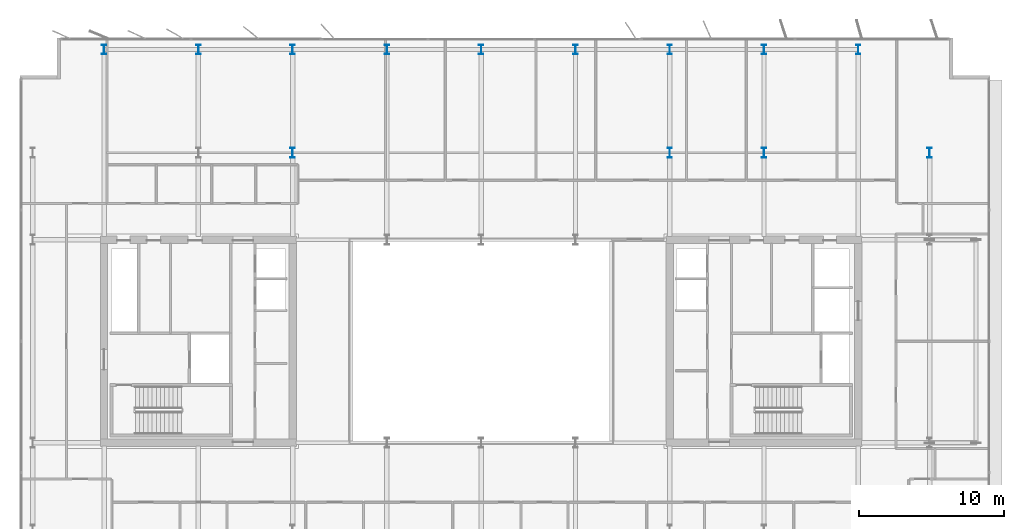
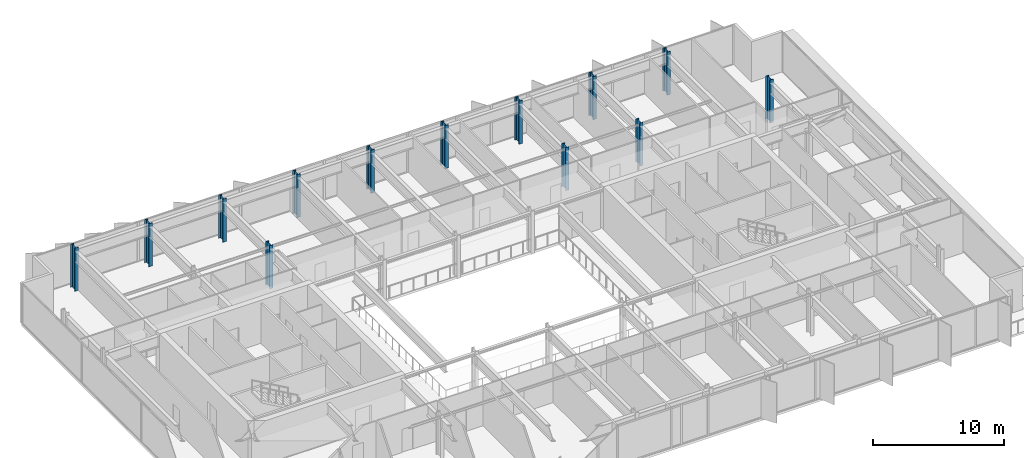
# One storey, part 3 of 20: 13 columns.
"""IFC4 building model written with IfcOpenShell, lengths in metres."""

from ifc_helpers import new_model, si_unit, direction, frame, origin, origin_2d, place, context, subcontext, project, spatial, i_section, extrude, material, material_profile, profile_set, type_object, element, save


model = new_model("IFC4")

# Units and contexts
model_context = context("Model", 3, precision=1e-05, world=origin(), true_north=direction((0.0, 1.0)))
body_context = subcontext(model_context, "Body", "Model", "MODEL_VIEW")
ifc_project = project(units=[si_unit("LENGTHUNIT", "METRE"), si_unit("AREAUNIT", "SQUARE_METRE"), si_unit("VOLUMEUNIT", "CUBIC_METRE"), si_unit("PLANEANGLEUNIT", "RADIAN"), si_unit("MASSUNIT", "GRAM", prefix="KILO")], contexts=[model_context])

# Site, building, storey
site_placement = place(None, origin())
site = spatial("IfcSite", under=ifc_project, at=site_placement, CompositionType="ELEMENT")
building_placement = place(site_placement, origin())
building = spatial("IfcBuilding", under=site, at=building_placement, Name="Putna Gate Headquarters", CompositionType="ELEMENT")
storey_placement = place(building_placement, frame((0.0, 0.0, 306.39990234375)))
storey = spatial("IfcBuildingStorey", under=building, at=storey_placement, Name="L77", CompositionType="ELEMENT", Elevation=306.39990234375)

# Columns
ifc_material = material(Name="Steel S460M", Category="steel")
ifc_material_profile_1 = material_profile(ifc_material, i_section(OverallWidth=0.304931640625, OverallDepth=0.66796875, WebThickness=0.02099609375, FlangeThickness=0.0400390625, at=origin_2d()), Name="Steel S460M")
ifc_profile_set_1 = profile_set([ifc_material_profile_1], Name="Steel S460M")
column_type_1 = type_object("IfcColumnType", Name="COL-STL-HEM650-EXT", PredefinedType="COLUMN", material=ifc_profile_set_1)
for number, where, z_axis, x_axis, name in (
    (1, (13.0, 46.1201171875, 0.0), (0.0, 0.0, 1.0), (1.0, 0.0, 0.0), "L77 Column CP-N13"),
    (2, (19.5, 46.1201171875, 0.0), (0.0, 0.0, 1.0), (1.0, 0.0, 0.0), "L77 Column CP-N19"),
    (3, (26.0, 46.1201171875, 0.0), (0.0, 0.0, 1.0), (1.0, 0.0, 0.0), "L77 Column CP-N26"),
    (4, (32.5, 46.1201171875, 0.0), (0.0, 0.0, 1.0), (1.0, 0.0, 0.0), "L77 Column CP-N32"),
    (5, (39.0, 46.1201171875, 0.0), (0.0, 0.0, 1.0), (1.0, 0.0, 0.0), "L77 Column CP-N39"),
    (6, (45.5, 46.1201171875, 0.0), (0.0, 0.0, 1.0), (1.0, 0.0, 0.0), "L77 Column CP-N45"),
    (7, (52.0, 46.1201171875, 0.0), (0.0, 0.0, 1.0), (1.0, 0.0, 0.0), "L77 Column CP-N52"),
    (8, (58.5, 46.1201171875, 0.0), (0.0, 0.0, 1.0), (1.0, 0.0, 0.0), "L77 Column CP-N58"),
    (9, (65.0, 46.1201171875, 0.0), (0.0, 0.0, 1.0), (1.0, 0.0, 0.0), "L77 Column CP-N65"),
    (10, (69.919921875, 39.0, 0.0), (0.0, 0.0, 1.0), (1.0, 0.0, 0.0), "L77 Column CP-E39"),
):
    element("IfcColumn", number, at=place(storey_placement, frame(where, z_axis=z_axis, x_axis=x_axis)), inside=storey, type_object=column_type_1, Name=name, PredefinedType="COLUMN", context=body_context, shape_type="SweptSolid", body=[
        extrude(i_section(OverallWidth=0.304931640625, OverallDepth=0.66796875, WebThickness=0.02099609375, FlangeThickness=0.0400390625, at=origin_2d()), origin(), (0.0, 0.0, 1.0), 4.0),
    ])
ifc_material_profile_2 = material_profile(ifc_material, i_section(OverallWidth=0.304931640625, OverallDepth=0.66796875, WebThickness=0.02099609375, FlangeThickness=0.0400390625, at=origin_2d()), Name="Steel S460M")
ifc_profile_set_2 = profile_set([ifc_material_profile_2], Name="Steel S460M")
column_type_2 = type_object("IfcColumnType", Name="COL-STL-HEM650-INT", PredefinedType="COLUMN", material=ifc_profile_set_2)
for number, where, z_axis, x_axis, name in (
    (11, (58.5, 39.0, 0.0), (0.0, 0.0, 1.0), (1.0, 0.0, 0.0), "L77 Column CSI-EN"),
    (12, (26.0, 39.0, 0.0), (0.0, 0.0, 1.0), (1.0, 0.0, 0.0), "L77 Column CAP-WN"),
    (13, (52.0, 39.0, 0.0), (0.0, 0.0, 1.0), (1.0, 0.0, 0.0), "L77 Column CAP-EN"),
):
    element("IfcColumn", number, at=place(storey_placement, frame(where, z_axis=z_axis, x_axis=x_axis)), inside=storey, type_object=column_type_2, Name=name, PredefinedType="COLUMN", context=body_context, shape_type="SweptSolid", body=[
        extrude(i_section(OverallWidth=0.304931640625, OverallDepth=0.66796875, WebThickness=0.02099609375, FlangeThickness=0.0400390625, at=origin_2d()), origin(), (0.0, 0.0, 1.0), 4.0),
    ])

save(model, "model.ifc")
